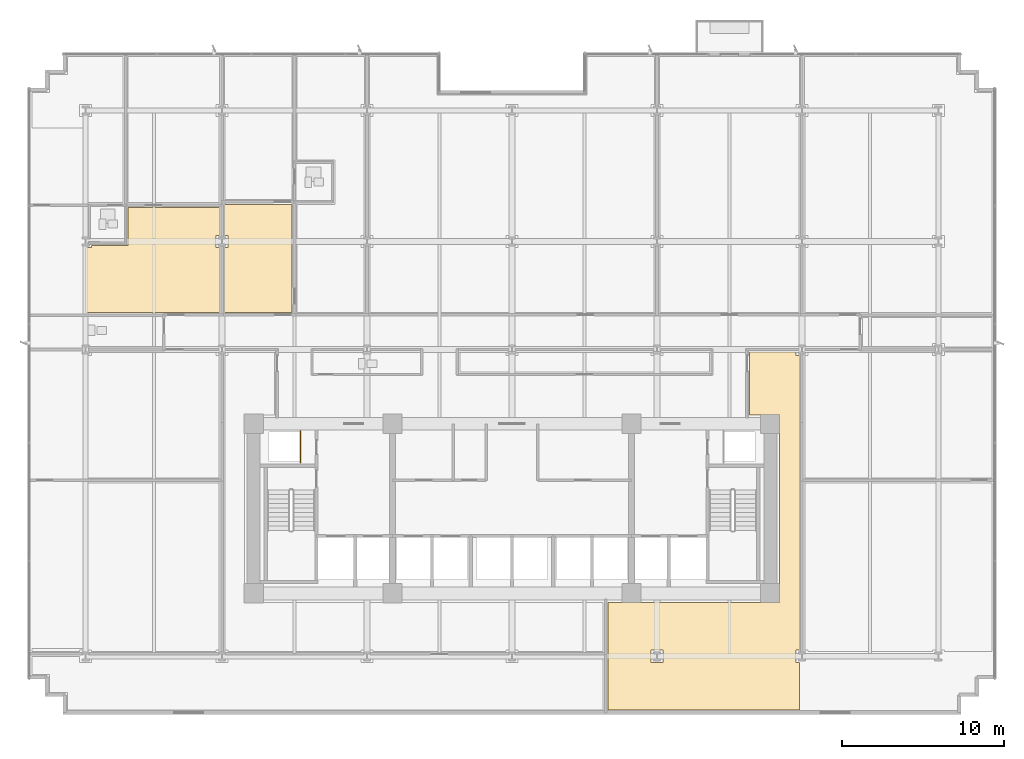
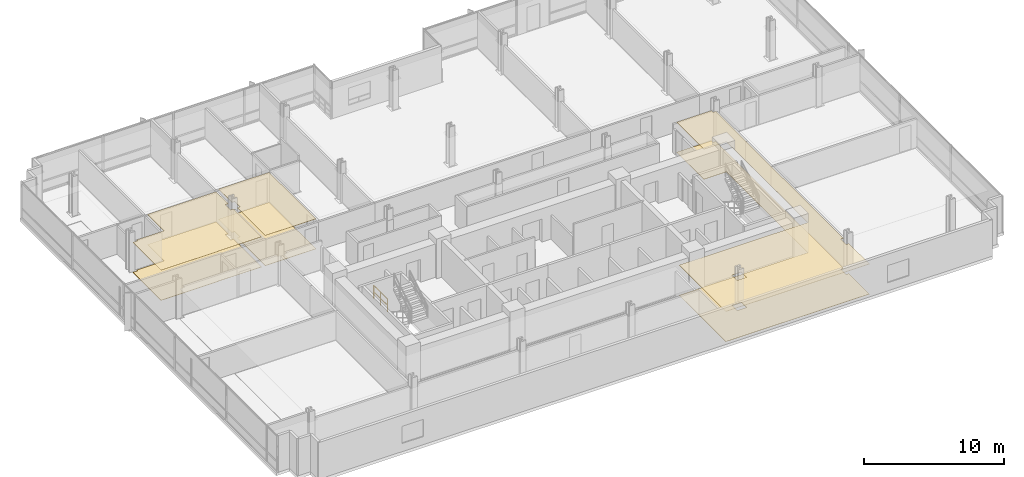
# One storey, part 17 of 20: 6 coverings, 1 railing.
"""IFC4 building model written with IfcOpenShell, lengths in metres."""

import ifcopenshell
import ifcopenshell.guid

model = None  # the IFC model being written
_history = None  # IfcOwnerHistory: only IFC2X3 demands one
_inside = {}  # id of a spatial element -> (the spatial element, [elements in it])
_under = {}  # id of a project, library or spatial element -> (it, [spatial elements below it])
_declared = {}  # id of a project -> (the project, [libraries it declares])
_typed = {}  # id of a type object -> (the type object, [elements of that type])
_made_of = {}  # id of a material, layer set ... -> (it, [elements and type objects made of it])


def new_model(schema):
    """Start an empty IFC model of exactly this schema.

    Asked for "IFC4X3", IfcOpenShell would pick the latest addendum, in which some entities
    have other attributes; the version numbers below select the first issue.
    IFC2X3 requires an IfcOwnerHistory on every rooted entity: one is made here for all.
    """
    global model, _history
    if schema == "IFC4X3":
        model = ifcopenshell.file(schema_version=(4, 3, 0, 0))
    else:
        model = ifcopenshell.file(schema=schema)
    _inside.clear()
    _under.clear()
    _declared.clear()
    _typed.clear()
    _made_of.clear()
    _history = None
    if model.schema == "IFC2X3":
        org = make("IfcOrganization", Name="unknown")
        user = make(
            "IfcPersonAndOrganization",
            ThePerson=make("IfcPerson", FamilyName="unknown"),
            TheOrganization=org,
        )
        app = make(
            "IfcApplication",
            ApplicationDeveloper=org,
            Version="unknown",
            ApplicationFullName="unknown",
            ApplicationIdentifier="unknown",
        )
        _history = make(
            "IfcOwnerHistory",
            OwningUser=user,
            OwningApplication=app,
            ChangeAction="ADDED",
            CreationDate=0,
        )
    return model


def make(cls, **values):
    """One entity of the class cls with the attributes given. An attribute that is None is left unset."""
    return model.create_entity(
        cls, **{name: value for name, value in values.items() if value is not None}
    )


def rooted(cls, **values):
    """An entity with a GlobalId (a new one), such as an element, a storey or a relation."""
    return make(cls, GlobalId=ifcopenshell.guid.new(), OwnerHistory=_history, **values)


def si_unit(unit_type, name, prefix=None):
    """IfcSIUnit, for example si_unit("LENGTHUNIT", "METRE", prefix="MILLI")."""
    return make("IfcSIUnit", UnitType=unit_type, Prefix=prefix, Name=name)


def assignment(units):
    """IfcUnitAssignment: the units of a project."""
    return None if units is None else make("IfcUnitAssignment", Units=units)


def point(xyz):
    """IfcCartesianPoint."""
    return None if xyz is None else make("IfcCartesianPoint", Coordinates=xyz)


def direction(xyz):
    """IfcDirection."""
    return None if xyz is None else make("IfcDirection", DirectionRatios=xyz)


def frame(location, z_axis=None, x_axis=None):
    """IfcAxis2Placement3D, a coordinate frame: its origin and axes. An axis left out is left unset."""
    return make(
        "IfcAxis2Placement3D",
        Location=point(location),
        Axis=direction(z_axis),
        RefDirection=direction(x_axis),
    )


def frame_2d(location, x_axis=None):
    """IfcAxis2Placement2D, a coordinate frame in the plane: its origin and x axis."""
    return make(
        "IfcAxis2Placement2D", Location=point(location), RefDirection=direction(x_axis)
    )


def origin():
    """The frame at (0, 0, 0) with its axes left unset."""
    return frame((0.0, 0.0, 0.0))


def origin_2d():
    """The frame at (0, 0) in the plane with its x axis left unset."""
    return frame_2d((0.0, 0.0))


def place(relative_to, where):
    """IfcLocalPlacement: puts the frame where relative to a parent placement (None: the world)."""
    return make(
        "IfcLocalPlacement", PlacementRelTo=relative_to, RelativePlacement=where
    )


def context(
    kind, dimensions, precision=None, world=None, true_north=None, identifier=None
):
    """IfcGeometricRepresentationContext, for example the 3D "Model" context."""
    return make(
        "IfcGeometricRepresentationContext",
        ContextIdentifier=identifier,
        ContextType=kind,
        CoordinateSpaceDimension=dimensions,
        Precision=precision,
        WorldCoordinateSystem=world,
        TrueNorth=true_north,
    )


def subcontext(parent, identifier, kind, view, scale=None):
    """IfcGeometricRepresentationSubContext, for example "Body" below "Model"."""
    return make(
        "IfcGeometricRepresentationSubContext",
        ContextIdentifier=identifier,
        ContextType=kind,
        ParentContext=parent,
        TargetScale=scale,
        TargetView=view,
    )


def project(units=None, contexts=None):
    """IfcProject with its units and contexts."""
    return rooted(
        "IfcProject",
        Name="project",
        RepresentationContexts=contexts,
        UnitsInContext=assignment(units),
    )


def spatial(cls, under=None, at=None, **own):
    """A site, building, storey or space (cls), placed at a placement, below another one or the project."""
    s = rooted(cls, ObjectPlacement=at, **own)
    if under is not None:
        _under.setdefault(under.id(), (under, []))[1].append(s)
    return s


def polyline(points):
    """IfcPolyline through the points."""
    return make("IfcPolyline", Points=[point(p) for p in points])


def profile(cls, at=None, kind="AREA", **sizes):
    """A parametric profile (cls). Its sizes go by their IFC names, for example OverallWidth=200.0."""
    return make(cls, ProfileType=kind, Position=at, **sizes)


def circle(**sizes):
    """IfcCircleProfileDef."""
    return profile("IfcCircleProfileDef", **sizes)


def outline(outer, holes=None, kind="AREA"):
    """IfcArbitraryClosedProfileDef: a profile drawn as a closed curve; with holes, ...WithVoids."""
    if holes is None:
        return make("IfcArbitraryClosedProfileDef", ProfileType=kind, OuterCurve=outer)
    return make(
        "IfcArbitraryProfileDefWithVoids",
        ProfileType=kind,
        OuterCurve=outer,
        InnerCurves=holes,
    )


def extrude(swept, where, along, depth):
    """IfcExtrudedAreaSolid: the profile swept, set in the frame where, extruded along a direction by depth."""
    return make(
        "IfcExtrudedAreaSolid",
        SweptArea=swept,
        Position=where,
        ExtrudedDirection=direction(along),
        Depth=depth,
    )


def shape(context_of_items, identifier, shape_type, items):
    """IfcShapeRepresentation: the items that make up one representation, for example the "Body"."""
    return make(
        "IfcShapeRepresentation",
        ContextOfItems=context_of_items,
        RepresentationIdentifier=identifier,
        RepresentationType=shape_type,
        Items=items,
    )


def material(Name=None, Category=None):
    """IfcMaterial."""
    return make("IfcMaterial", Name=Name, Category=Category)


def layer(
    of_material, thickness, ventilated=None, Name=None, Category=None, Priority=None
):
    """IfcMaterialLayer: one layer of a wall or slab, of a material (None: an air gap)."""
    return make(
        "IfcMaterialLayer",
        Material=of_material,
        LayerThickness=thickness,
        IsVentilated=ventilated,
        Name=Name,
        Category=Category,
        Priority=Priority,
    )


def layer_set(layers, Name=None):
    """IfcMaterialLayerSet."""
    return make("IfcMaterialLayerSet", MaterialLayers=layers, LayerSetName=Name)


def made_of(thing, what):
    """Note that an element or type object is made of a material, layer set ...; save() writes the relation."""
    if what is not None:
        _made_of.setdefault(what.id(), (what, []))[1].append(thing)
    return thing


def type_object(cls, material=None, **own):
    """A type object (cls), such as IfcWallType, which elements share."""
    return made_of(rooted(cls, **own), material)


def element(
    cls,
    number,
    at=None,
    inside=None,
    cuts=None,
    type_object=None,
    material=None,
    context=None,
    identifier="Body",
    shape_type=None,
    held_by="IfcProductDefinitionShape",
    body=None,
    shapes=None,
    **own,
):
    """One element of the class cls, such as IfcWall. Its Tag is "e" and its number.

    at: its placement. inside: the storey or other place that contains it. cuts: it is an
    opening in that element (IfcRelVoidsElement). A single representation is given by context,
    identifier, shape_type and body (its items); several are given by shapes. held_by: the class
    of the entity that holds the representations. save() writes the other relations.
    """
    e = rooted(cls, Tag="e%d" % number, ObjectPlacement=at, **own)
    if body is not None:
        shapes = [shape(context, identifier, shape_type, body)]
    if shapes is not None:
        e.Representation = make(held_by, Representations=shapes)
    if inside is not None:
        _inside.setdefault(inside.id(), (inside, []))[1].append(e)
    if cuts is not None:
        rooted(
            "IfcRelVoidsElement", RelatingBuildingElement=cuts, RelatedOpeningElement=e
        )
    if type_object is not None:
        _typed.setdefault(type_object.id(), (type_object, []))[1].append(e)
    return made_of(e, material)


def aggregate(whole, parts):
    """IfcRelAggregates: a whole, such as a stair, and the parts it consists of."""
    return rooted("IfcRelAggregates", RelatingObject=whole, RelatedObjects=parts)


def save(model, path):
    """Write the relations noted so far, then the file.

    IfcRelAggregates (storeys below a building ...), IfcRelContainedInSpatialStructure (elements
    in a storey), IfcRelDefinesByType, IfcRelAssociatesMaterial and IfcRelDeclares: one each for
    every whole, place, type object, material and project.
    """
    for whole, parts in _under.values():
        aggregate(whole, parts)
    for where, things in _inside.values():
        rooted(
            "IfcRelContainedInSpatialStructure",
            RelatedElements=things,
            RelatingStructure=where,
        )
    for kind, things in _typed.values():
        rooted("IfcRelDefinesByType", RelatedObjects=things, RelatingType=kind)
    for what, things in _made_of.values():
        rooted("IfcRelAssociatesMaterial", RelatedObjects=things, RelatingMaterial=what)
    for by, libraries in _declared.values():
        rooted("IfcRelDeclares", RelatingContext=by, RelatedDefinitions=libraries)
    model.write(path)


model = new_model("IFC4")

# Units and contexts
model_context = context("Model", 3, precision=1e-05, world=origin(), true_north=direction((0.0, 1.0)))
body_context = subcontext(model_context, "Body", "Model", "MODEL_VIEW")
ifc_project = project(units=[si_unit("LENGTHUNIT", "METRE"), si_unit("AREAUNIT", "SQUARE_METRE"), si_unit("VOLUMEUNIT", "CUBIC_METRE"), si_unit("PLANEANGLEUNIT", "RADIAN"), si_unit("MASSUNIT", "GRAM", prefix="KILO")], contexts=[model_context])

# Site, building, storey
site_placement = place(None, origin())
site = spatial("IfcSite", under=ifc_project, at=site_placement, CompositionType="ELEMENT")
building_placement = place(site_placement, origin())
building = spatial("IfcBuilding", under=site, at=building_placement, Name="Solmavex Isthmus Hotel", CompositionType="ELEMENT")
storey_placement = place(building_placement, frame((0.0, 0.0, 57.449951171875)))
storey = spatial("IfcBuildingStorey", under=building, at=storey_placement, Name="L15", CompositionType="ELEMENT", Elevation=57.449951171875)

# Coverings
ifc_material_1 = material(Name="Gypsum plasterboard lining", Category="gypsum")
ifc_layer_1 = layer(ifc_material_1, 0.030029296875)
ifc_layer_set_1 = layer_set([ifc_layer_1], Name="Gypsum plasterboard lining")
covering_type_1 = type_object("IfcCoveringType", Name="COV-CEIL-GYP", PredefinedType="CEILING", material=ifc_layer_set_1)
covering_1_placement = place(storey_placement, frame((0.0, 0.0, 2.6201171875)))
element("IfcCovering", 1, at=covering_1_placement, inside=storey, type_object=covering_type_1, Name="Suspended Acoustic Ceiling L15-SH01-LV", PredefinedType="CEILING", context=body_context, shape_type="SweptSolid", body=[
    extrude(outline(polyline([(-26.02001953125, 8.532958984375), (-26.02001953125, 8.407958984375), (-26.39990234375, 8.407958984375), (-26.39990234375, 4.385009765625), (-21.70703125, 4.385009765625), (-21.70703125, 4.405029296875), (-18.10693359375, 4.405029296875), (-18.10693359375, 8.407958984375), (-18.33203125, 8.407958984375), (-18.33203125, 9.16796875), (-18.10693359375, 9.16796875), (-18.10693359375, 10.883056640625), (-23.760986328125, 10.883056640625), (-23.760986328125, 8.532958984375), (-26.02001953125, 8.532958984375)])), origin(), (0.0, 0.0, 1.0), 0.030029296875),
])
covering_2_placement = place(storey_placement, frame((0.0, 0.0, 2.6201171875)))
element("IfcCovering", 2, at=covering_2_placement, inside=storey, type_object=covering_type_1, Name="Suspended Acoustic Ceiling L15-SL02-FY", PredefinedType="CEILING", context=body_context, shape_type="SweptSolid", body=[
    extrude(outline(polyline([(-17.797119140625, 9.16796875), (-17.572021484375, 9.16796875), (-17.572021484375, 8.407958984375), (-17.797119140625, 8.407958984375), (-17.797119140625, 4.405029296875), (-13.618896484375, 4.405029296875), (-13.618896484375, 11.0830078125), (-17.797119140625, 11.0830078125), (-17.797119140625, 9.16796875)])), origin(), (0.0, 0.0, 1.0), 0.030029296875),
])
covering_3_placement = place(storey_placement, frame((0.0, 0.0, 2.6201171875)))
element("IfcCovering", 3, at=covering_3_placement, inside=storey, type_object=covering_type_1, Name="Suspended Acoustic Ceiling L15-FL13", PredefinedType="CEILING", context=body_context, shape_type="SweptSolid", body=[
    extrude(outline(polyline([(17.797119140625, 1.719970703125), (17.572021484375, 1.719970703125), (17.572021484375, 1.945068359375), (14.698974609375, 1.945068359375), (14.698974609375, -1.945068359375), (16.554931640625, -1.945068359375), (16.554931640625, -13.554931640625), (5.955078125, -13.554931640625), (5.955078125, -20.22509765625), (17.797119140625, -20.22509765625), (17.797119140625, -17.280029296875), (17.572021484375, -17.280029296875), (17.572021484375, -16.52001953125), (17.797119140625, -16.52001953125), (17.797119140625, 1.719970703125)]), holes=[polyline([(8.595947265625, -17.280029296875), (8.595947265625, -16.52001953125), (9.35595703125, -16.52001953125), (9.35595703125, -17.280029296875), (8.595947265625, -17.280029296875)])]), origin(), (0.0, 0.0, 1.0), 0.030029296875),
])
ifc_material_2 = material(Name="Travertine natural stone", Category="masonry")
ifc_layer_2 = layer(ifc_material_2, 0.02490234375)
ifc_layer_set_2 = layer_set([ifc_layer_2], Name="Travertine natural stone")
covering_type_2 = type_object("IfcCoveringType", Name="COV-FLOR-STN", PredefinedType="FLOORING", material=ifc_layer_set_2)
covering_4_placement = place(storey_placement, origin())
element("IfcCovering", 4, at=covering_4_placement, inside=storey, type_object=covering_type_2, Name="Stone and Timber Floor Finish L15-SH01-LV", PredefinedType="FLOORING", context=body_context, shape_type="SweptSolid", body=[
    extrude(outline(polyline([(-26.02001953125, 8.532958984375), (-26.02001953125, 8.407958984375), (-26.39990234375, 8.407958984375), (-26.39990234375, 4.385009765625), (-21.70703125, 4.385009765625), (-21.70703125, 4.405029296875), (-18.10693359375, 4.405029296875), (-18.10693359375, 8.407958984375), (-18.33203125, 8.407958984375), (-18.33203125, 9.16796875), (-18.10693359375, 9.16796875), (-18.10693359375, 10.883056640625), (-23.760986328125, 10.883056640625), (-23.760986328125, 8.532958984375), (-26.02001953125, 8.532958984375)])), origin(), (0.0, 0.0, 1.0), 0.025146484375),
])
covering_5_placement = place(storey_placement, origin())
element("IfcCovering", 5, at=covering_5_placement, inside=storey, type_object=covering_type_2, Name="Stone and Timber Floor Finish L15-SL02-FY", PredefinedType="FLOORING", context=body_context, shape_type="SweptSolid", body=[
    extrude(outline(polyline([(-17.797119140625, 9.16796875), (-17.572021484375, 9.16796875), (-17.572021484375, 8.407958984375), (-17.797119140625, 8.407958984375), (-17.797119140625, 4.405029296875), (-13.618896484375, 4.405029296875), (-13.618896484375, 11.0830078125), (-17.797119140625, 11.0830078125), (-17.797119140625, 9.16796875)])), origin(), (0.0, 0.0, 1.0), 0.025146484375),
])
covering_6_placement = place(storey_placement, origin())
element("IfcCovering", 6, at=covering_6_placement, inside=storey, type_object=covering_type_2, Name="Stone and Timber Floor Finish L15-FL13", PredefinedType="FLOORING", context=body_context, shape_type="SweptSolid", body=[
    extrude(outline(polyline([(17.797119140625, 1.719970703125), (17.572021484375, 1.719970703125), (17.572021484375, 1.945068359375), (14.698974609375, 1.945068359375), (14.698974609375, -1.945068359375), (16.554931640625, -1.945068359375), (16.554931640625, -13.554931640625), (5.955078125, -13.554931640625), (5.955078125, -20.22509765625), (17.797119140625, -20.22509765625), (17.797119140625, -17.280029296875), (17.572021484375, -17.280029296875), (17.572021484375, -16.52001953125), (17.797119140625, -16.52001953125), (17.797119140625, 1.719970703125)]), holes=[polyline([(8.595947265625, -17.280029296875), (8.595947265625, -16.52001953125), (9.35595703125, -16.52001953125), (9.35595703125, -17.280029296875), (8.595947265625, -17.280029296875)])]), origin(), (0.0, 0.0, 1.0), 0.025146484375),
])

# Railing
ifc_material_3 = material(Name="Clear low-E laminated glass", Category="glass")
ifc_layer_3 = layer(ifc_material_3, 0.080078125)
ifc_layer_set_3 = layer_set([ifc_layer_3], Name="Clear low-E laminated glass")
railing_type = type_object("IfcRailingType", Name="RAIL-ATRIUM-1120", PredefinedType="BALUSTRADE", material=ifc_layer_set_3)
railing_placement = place(storey_placement, frame((-13.10009765625, -4.89990234375, 0.0)))
element("IfcRailing", 7, at=railing_placement, inside=storey, type_object=railing_type, Name="Guardrail Balustrade L15-RSW-01", PredefinedType="BALUSTRADE", context=body_context, shape_type="SweptSolid", body=[
    extrude(circle(Radius=0.02392578125, at=origin_2d()), frame((0.0, 0.0, 1.1259765625), z_axis=(0.0, 1.0, 0.0), x_axis=(-1.0, 0.0, 0.0)), (0.0, 0.0, 1.0), 1.949951171875),
    extrude(circle(Radius=0.02392578125, at=origin_2d()), frame((0.0, 0.0, 0.574951171875), z_axis=(0.0, 1.0, 0.0), x_axis=(-1.0, 0.0, 0.0)), (0.0, 0.0, 1.0), 1.949951171875),
    extrude(circle(Radius=0.02099609375, at=origin_2d()), origin(), (0.0, 0.0, 1.0), 1.101806640625),
    extrude(circle(Radius=0.02099609375, at=origin_2d()), frame((0.0, 0.97509765625, 0.0)), (0.0, 0.0, 1.0), 1.101806640625),
    extrude(circle(Radius=0.02099609375, at=origin_2d()), frame((0.0, 1.949951171875, 0.0)), (0.0, 0.0, 1.0), 1.101806640625),
])

save(model, "model.ifc")
